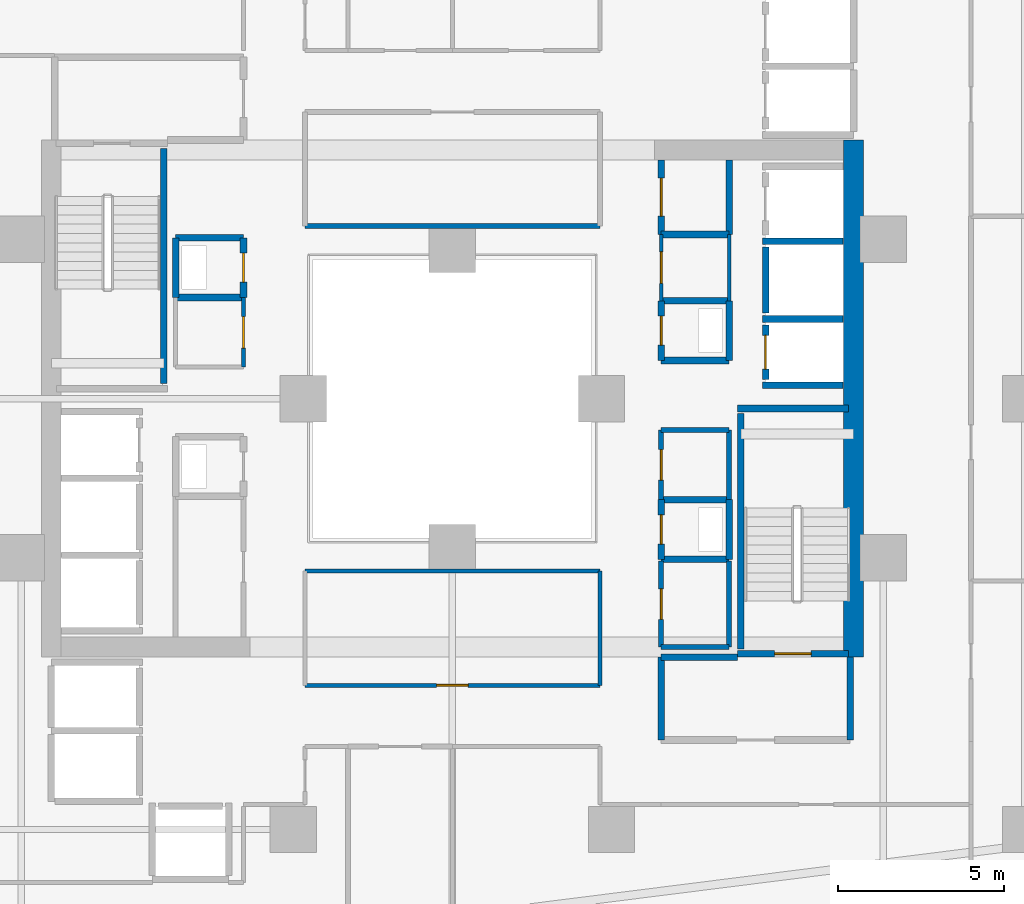
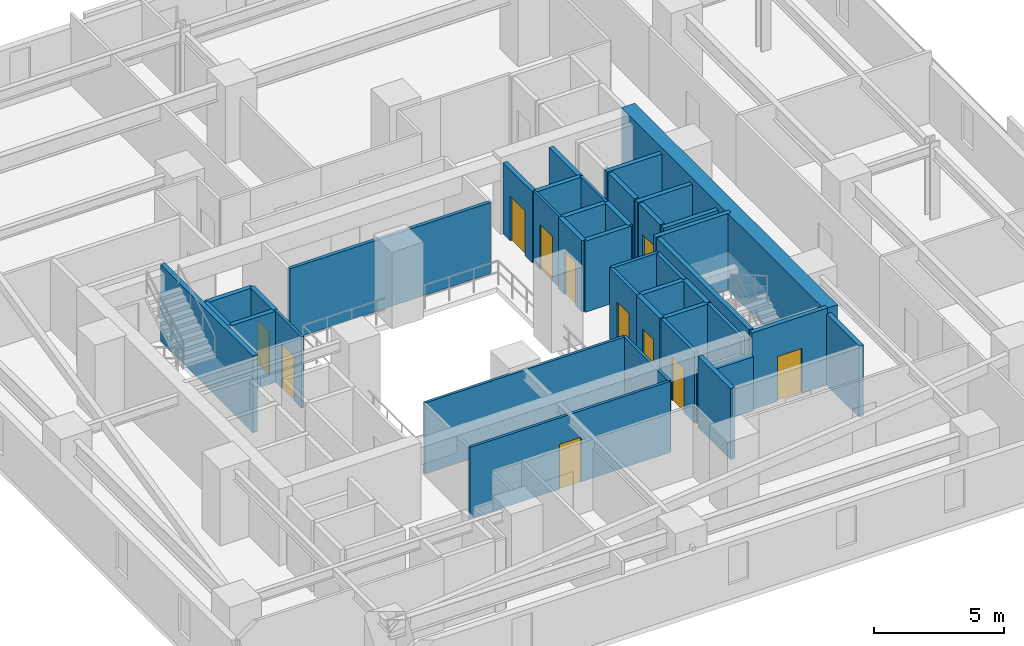
# One storey, part 25 of 34: 41 walls, 11 doors, 11 openings.
"""IFC4 building model written with IfcOpenShell, lengths in metres."""

from ifc_helpers import new_model, si_unit, direction, frame, frame_2d, origin, place, context, subcontext, project, spatial, rectangle, extrude, material, layer, layer_set, type_object, element, fill, save


model = new_model("IFC4")

# Units and contexts
model_context = context("Model", 3, precision=1e-05, world=origin(), true_north=direction((0.0, 1.0)))
body_context = subcontext(model_context, "Body", "Model", "MODEL_VIEW")
ifc_project = project(units=[si_unit("LENGTHUNIT", "METRE"), si_unit("AREAUNIT", "SQUARE_METRE"), si_unit("VOLUMEUNIT", "CUBIC_METRE"), si_unit("PLANEANGLEUNIT", "RADIAN"), si_unit("MASSUNIT", "GRAM", prefix="KILO")], contexts=[model_context])

# Site, building, storey
site_placement = place(None, origin())
site = spatial("IfcSite", under=ifc_project, at=site_placement, CompositionType="ELEMENT")
building_placement = place(site_placement, origin())
building = spatial("IfcBuilding", under=site, at=building_placement, Name="Thornwick Lancets Civic Towers", CompositionType="ELEMENT")
storey_placement = place(building_placement, frame((0.0, 0.0, 60.89990234375)))
storey = spatial("IfcBuildingStorey", under=building, at=storey_placement, Name="L15", CompositionType="ELEMENT", Elevation=60.89990234375)

# Wall, opening, door
ifc_material_1 = material(Name="Concrete blockwork C40/50", Category="masonry")
ifc_layer_1 = layer(ifc_material_1, 0.199951171875, Name="Concrete blockwork C40/50")
ifc_layer_set_1 = layer_set([ifc_layer_1], Name="Concrete blockwork C40/50")
wall_type_1 = type_object("IfcWallType", Name="WALL_COMP_200", PredefinedType="STANDARD", material=ifc_layer_set_1)
wall_1_placement = place(storey_placement, frame((97.949951171875, 29.219970703125, 0.0), z_axis=(0.0, 0.0, 1.0), x_axis=(0.0, -1.0, 0.0)))
wall_1 = element("IfcWall", 1, at=wall_1_placement, inside=storey, type_object=wall_type_1, Name="L15 Hoistway Front Wall FL-B1", PredefinedType="STANDARD", context=body_context, shape_type="SweptSolid", body=[
    extrude(rectangle(XDim=1.639892578125, YDim=0.199951171875, at=frame_2d((0.81982421875, 0.0))), origin(), (0.0, 0.0, 1.0), 3.340087890625),
])
opening_1_placement = place(wall_1_placement, frame((0.31005859375, 0.0, 0.0)))
opening_1 = element("IfcOpeningElement", 2, at=opening_1_placement, cuts=wall_1, Name="Opening LD-FL-B1", PredefinedType="OPENING", context=body_context, shape_type="SweptSolid", body=[
    extrude(rectangle(XDim=1.02001953125, YDim=2.06005859375, at=frame_2d((0.510009765625, 1.030029296875))), frame((0.0, 0.10986328125, 0.0), z_axis=(0.0, -1.0, 0.0), x_axis=(1.0, 0.0, 0.0)), (0.0, 0.0, 1.0), 0.219970703125),
])
ifc_material_2 = material(Name="Brushed bronze stainless steel", Category="steel")
door_type_1 = type_object("IfcDoorType", Name="DOOR_LIFT_SLIDE", OperationType="SLIDING_TO_LEFT", PredefinedType="DOOR", material=ifc_material_2)
door_1_placement = place(opening_1_placement, origin())
door_1 = element("IfcDoor", 3, at=door_1_placement, inside=storey, type_object=door_type_1, Name="L15 Sliding Lift Landing Door LD-FL-B1", OperationType="SLIDING_TO_LEFT", OverallHeight=2.06005859375, OverallWidth=1.02001953125, PredefinedType="DOOR", context=body_context, shape_type="SweptSolid", body=[
    extrude(rectangle(XDim=1.02001953125, YDim=2.06005859375, at=frame_2d((0.510009765625, 1.030029296875))), frame((0.0, 0.02490234375, 0.0), z_axis=(0.0, -1.0, 0.0), x_axis=(1.0, 0.0, 0.0)), (0.0, 0.0, 1.0), 0.050048828125),
])
fill(opening_1, door_1)

# Walls
wall_2_placement = place(storey_placement, frame((97.949951171875, 31.570068359375, 0.0), z_axis=(0.0, 0.0, 1.0), x_axis=(0.0, -1.0, 0.0)))
element("IfcWall", 4, at=wall_2_placement, inside=storey, type_object=wall_type_1, Name="L15 Hoistway Front Wall PL-BH1", PredefinedType="STANDARD", context=body_context, shape_type="SweptSolid", body=[
    extrude(rectangle(XDim=1.989990234375, YDim=0.199951171875, at=frame_2d((0.9951171875, 0.0))), origin(), (0.0, 0.0, 1.0), 3.340087890625),
])
for number, where, z_axis, x_axis, name in (
    (5, (97.85205078125, 29.39990234375, 0.0), (0.0, 0.0, 1.0), (1.0, 0.0, 0.0), "L15 Hoistway Shaft Wall FL-B1 N"),
    (6, (97.85205078125, 27.39990234375, 0.0), (0.0, 0.0, 1.0), (1.0, 0.0, 0.0), "L15 Hoistway Shaft Wall FL-B1 S"),
    (7, (97.85205078125, 31.75, 0.0), (0.0, 0.0, 1.0), (1.0, 0.0, 0.0), "L15 Hoistway Shaft Wall PL-BH1 N"),
):
    element("IfcWall", number, at=place(storey_placement, frame(where, z_axis=z_axis, x_axis=x_axis)), inside=storey, type_object=wall_type_1, Name=name, PredefinedType="STANDARD", context=body_context, shape_type="SweptSolid", body=[
        extrude(rectangle(XDim=2.43603515625, YDim=0.199951171875, at=frame_2d((1.218017578125, 0.0))), origin(), (0.0, 0.0, 1.0), 3.340087890625),
    ])
wall_3_placement = place(storey_placement, frame((100.5, 16.699951171875, 0.0), z_axis=(0.0, 0.0, 1.0), x_axis=(0.0, 1.0, 0.0)))
element("IfcWall", 8, at=wall_3_placement, inside=storey, type_object=wall_type_1, Name="L15 Partition L15-B-FFLOB1 E2", PredefinedType="STANDARD", context=body_context, shape_type="SweptSolid", body=[
    extrude(rectangle(XDim=2.5, YDim=0.199951171875, at=frame_2d((1.25, 0.0))), origin(), (0.0, 0.0, 1.0), 3.340087890625),
])
wall_4_placement = place(storey_placement, frame((97.10009765625, 19.199951171875, 0.0), z_axis=(0.0, 0.0, 1.0), x_axis=(-1.0, 0.0, 0.0)))
element("IfcWall", 9, at=wall_4_placement, inside=storey, type_object=wall_type_1, Name="L15 Partition L15-B-FFLOB1 E3", PredefinedType="STANDARD", context=body_context, shape_type="SweptSolid", body=[
    extrude(rectangle(XDim=2.300048828125, YDim=0.199951171875, at=frame_2d((1.14990234375, 0.0))), origin(), (0.0, 0.0, 1.0), 2.545166015625),
])
wall_5_placement = place(storey_placement, frame((94.800048828125, 19.199951171875, 0.0), z_axis=(0.0, 0.0, 1.0), x_axis=(0.0, -1.0, 0.0)))
element("IfcWall", 10, at=wall_5_placement, inside=storey, type_object=wall_type_1, Name="L15 Partition L15-B-FFLOB1 E4", PredefinedType="STANDARD", context=body_context, shape_type="SweptSolid", body=[
    extrude(rectangle(XDim=2.5, YDim=0.199951171875, at=frame_2d((1.25, 0.0))), origin(), (0.0, 0.0, 1.0), 3.340087890625),
])
wall_6_placement = place(storey_placement, frame((94.800048828125, 28.14990234375, 0.0), z_axis=(0.0, 0.0, 1.0), x_axis=(1.0, 0.0, 0.0)))
element("IfcWall", 11, at=wall_6_placement, inside=storey, type_object=wall_type_1, Name="L15 Partition L15-B-DUCT1 E1", PredefinedType="STANDARD", context=body_context, shape_type="SweptSolid", body=[
    extrude(rectangle(XDim=2.050048828125, YDim=0.199951171875, at=frame_2d((1.02490234375, 0.0))), origin(), (0.0, 0.0, 1.0), 3.340087890625),
])
wall_7_placement = place(storey_placement, frame((96.85009765625, 28.14990234375, 0.0), z_axis=(0.0, 0.0, 1.0), x_axis=(0.0, 1.0, 0.0)))
element("IfcWall", 12, at=wall_7_placement, inside=storey, type_object=wall_type_1, Name="L15 Partition L15-B-DUCT1 E2", PredefinedType="STANDARD", context=body_context, shape_type="SweptSolid", body=[
    extrude(rectangle(XDim=1.800048828125, YDim=0.199951171875, at=frame_2d((0.89990234375, 0.0))), origin(), (0.0, 0.0, 1.0), 3.340087890625),
])
wall_8_placement = place(storey_placement, frame((96.85009765625, 29.949951171875, 0.0), z_axis=(0.0, 0.0, 1.0), x_axis=(-1.0, 0.0, 0.0)))
element("IfcWall", 13, at=wall_8_placement, inside=storey, type_object=wall_type_1, Name="L15 Partition L15-B-DUCT1 E3", PredefinedType="STANDARD", context=body_context, shape_type="SweptSolid", body=[
    extrude(rectangle(XDim=2.050048828125, YDim=0.199951171875, at=frame_2d((1.02490234375, 0.0))), origin(), (0.0, 0.0, 1.0), 3.340087890625),
])

# Wall, opening, door
wall_9_placement = place(storey_placement, frame((94.800048828125, 29.949951171875, 0.0), z_axis=(0.0, 0.0, 1.0), x_axis=(0.0, -1.0, 0.0)))
wall_9 = element("IfcWall", 14, at=wall_9_placement, inside=storey, type_object=wall_type_1, Name="L15 Partition L15-B-DUCT1 E4", PredefinedType="STANDARD", context=body_context, shape_type="SweptSolid", body=[
    extrude(rectangle(XDim=1.800048828125, YDim=0.199951171875, at=frame_2d((0.89990234375, 0.0))), origin(), (0.0, 0.0, 1.0), 3.340087890625),
])
opening_2_placement = place(wall_9_placement, frame((0.4599609375, 0.0, 0.0)))
opening_2 = element("IfcOpeningElement", 15, at=opening_2_placement, cuts=wall_9, Name="Opening D-L15-0717", PredefinedType="OPENING", context=body_context, shape_type="SweptSolid", body=[
    extrude(rectangle(XDim=0.8798828125, YDim=2.0400390625, at=frame_2d((0.43994140625, 1.02001953125))), frame((0.0, 0.10986328125, 0.0), z_axis=(0.0, -1.0, 0.0), x_axis=(1.0, 0.0, 0.0)), (0.0, 0.0, 1.0), 0.219970703125),
])
ifc_material_3 = material(Name="Steel riser access doorset", Category="steel")
door_type_2 = type_object("IfcDoorType", Name="DOOR_RISER_850", OperationType="NOTDEFINED", PredefinedType="DOOR", material=ifc_material_3)
door_2_placement = place(opening_2_placement, origin())
door_2 = element("IfcDoor", 16, at=door_2_placement, inside=storey, type_object=door_type_2, Name="L15 East Service Duct 1 Door", OperationType="SINGLE_SWING_RIGHT", OverallHeight=2.0400390625, OverallWidth=0.8798828125, PredefinedType="DOOR", context=body_context, shape_type="SweptSolid", body=[
    extrude(rectangle(XDim=0.8798828125, YDim=2.0400390625, at=frame_2d((0.43994140625, 1.02001953125))), frame((0.0, 0.02490234375, 0.0), z_axis=(0.0, -1.0, 0.0), x_axis=(1.0, 0.0, 0.0)), (0.0, 0.0, 1.0), 0.050048828125),
])
fill(opening_2, door_2)

# Walls
wall_10_placement = place(storey_placement, frame((94.800048828125, 22.14990234375, 0.0), z_axis=(0.0, 0.0, 1.0), x_axis=(1.0, 0.0, 0.0)))
element("IfcWall", 17, at=wall_10_placement, inside=storey, type_object=wall_type_1, Name="L15 Partition L15-B-RISER1 E1", PredefinedType="STANDARD", context=body_context, shape_type="SweptSolid", body=[
    extrude(rectangle(XDim=2.050048828125, YDim=0.199951171875, at=frame_2d((1.02490234375, 0.0))), origin(), (0.0, 0.0, 1.0), 3.340087890625),
])
wall_11_placement = place(storey_placement, frame((96.85009765625, 22.14990234375, 0.0), z_axis=(0.0, 0.0, 1.0), x_axis=(0.0, 1.0, 0.0)))
element("IfcWall", 18, at=wall_11_placement, inside=storey, type_object=wall_type_1, Name="L15 Partition L15-B-RISER1 E2", PredefinedType="STANDARD", context=body_context, shape_type="SweptSolid", body=[
    extrude(rectangle(XDim=1.800048828125, YDim=0.199951171875, at=frame_2d((0.89990234375, 0.0))), origin(), (0.0, 0.0, 1.0), 3.340087890625),
])
wall_12_placement = place(storey_placement, frame((96.85009765625, 23.949951171875, 0.0), z_axis=(0.0, 0.0, 1.0), x_axis=(-1.0, 0.0, 0.0)))
element("IfcWall", 19, at=wall_12_placement, inside=storey, type_object=wall_type_1, Name="L15 Partition L15-B-RISER1 E3", PredefinedType="STANDARD", context=body_context, shape_type="SweptSolid", body=[
    extrude(rectangle(XDim=2.050048828125, YDim=0.199951171875, at=frame_2d((1.02490234375, 0.0))), origin(), (0.0, 0.0, 1.0), 3.340087890625),
])

# Wall, opening, door
wall_13_placement = place(storey_placement, frame((94.800048828125, 23.949951171875, 0.0), z_axis=(0.0, 0.0, 1.0), x_axis=(0.0, -1.0, 0.0)))
wall_13 = element("IfcWall", 20, at=wall_13_placement, inside=storey, type_object=wall_type_1, Name="L15 Partition L15-B-RISER1 E4", PredefinedType="STANDARD", context=body_context, shape_type="SweptSolid", body=[
    extrude(rectangle(XDim=1.800048828125, YDim=0.199951171875, at=frame_2d((0.89990234375, 0.0))), origin(), (0.0, 0.0, 1.0), 3.340087890625),
])
opening_3_placement = place(wall_13_placement, frame((0.4599609375, 0.0, 0.0)))
opening_3 = element("IfcOpeningElement", 21, at=opening_3_placement, cuts=wall_13, Name="Opening D-L15-0718", PredefinedType="OPENING", context=body_context, shape_type="SweptSolid", body=[
    extrude(rectangle(XDim=0.8798828125, YDim=2.0400390625, at=frame_2d((0.43994140625, 1.02001953125))), frame((0.0, 0.10986328125, 0.0), z_axis=(0.0, -1.0, 0.0), x_axis=(1.0, 0.0, 0.0)), (0.0, 0.0, 1.0), 0.219970703125),
])
door_3_placement = place(opening_3_placement, origin())
door_3 = element("IfcDoor", 22, at=door_3_placement, inside=storey, type_object=door_type_2, Name="L15 East Electrical Riser 1 Door", OperationType="SINGLE_SWING_LEFT", OverallHeight=2.0400390625, OverallWidth=0.8798828125, PredefinedType="DOOR", context=body_context, shape_type="SweptSolid", body=[
    extrude(rectangle(XDim=0.8798828125, YDim=2.0400390625, at=frame_2d((0.43994140625, 1.02001953125))), frame((0.0, 0.02490234375, 0.0), z_axis=(0.0, -1.0, 0.0), x_axis=(1.0, 0.0, 0.0)), (0.0, 0.0, 1.0), 0.050048828125),
])
fill(opening_3, door_3)

# Wall
wall_14_placement = place(storey_placement, frame((80.14990234375, 30.050048828125, 0.0), z_axis=(0.0, 0.0, 1.0), x_axis=(1.0, 0.0, 0.0)))
element("IfcWall", 23, at=wall_14_placement, inside=storey, type_object=wall_type_1, Name="L15 Partition L15-B-RISER2 E1", PredefinedType="STANDARD", context=body_context, shape_type="SweptSolid", body=[
    extrude(rectangle(XDim=2.050048828125, YDim=0.199951171875, at=frame_2d((1.02490234375, 0.0))), origin(), (0.0, 0.0, 1.0), 3.340087890625),
])

# Wall, opening, door
wall_15_placement = place(storey_placement, frame((82.199951171875, 30.050048828125, 0.0), z_axis=(0.0, 0.0, 1.0), x_axis=(0.0, 1.0, 0.0)))
wall_15 = element("IfcWall", 24, at=wall_15_placement, inside=storey, type_object=wall_type_1, Name="L15 Partition L15-B-RISER2 E2", PredefinedType="STANDARD", context=body_context, shape_type="SweptSolid", body=[
    extrude(rectangle(XDim=1.800048828125, YDim=0.199951171875, at=frame_2d((0.89990234375, 0.0))), origin(), (0.0, 0.0, 1.0), 3.340087890625),
])
opening_4_placement = place(wall_15_placement, frame((0.4599609375, 0.0, 0.0)))
opening_4 = element("IfcOpeningElement", 25, at=opening_4_placement, cuts=wall_15, Name="Opening D-L15-0720", PredefinedType="OPENING", context=body_context, shape_type="SweptSolid", body=[
    extrude(rectangle(XDim=0.8798828125, YDim=2.0400390625, at=frame_2d((0.43994140625, 1.02001953125))), frame((0.0, 0.10986328125, 0.0), z_axis=(0.0, -1.0, 0.0), x_axis=(1.0, 0.0, 0.0)), (0.0, 0.0, 1.0), 0.219970703125),
])
door_4_placement = place(opening_4_placement, origin())
door_4 = element("IfcDoor", 26, at=door_4_placement, inside=storey, type_object=door_type_2, Name="L15 West Service Riser 2 Door", OperationType="SINGLE_SWING_LEFT", OverallHeight=2.0400390625, OverallWidth=0.8798828125, PredefinedType="DOOR", context=body_context, shape_type="SweptSolid", body=[
    extrude(rectangle(XDim=0.8798828125, YDim=2.0400390625, at=frame_2d((0.43994140625, 1.02001953125))), frame((0.0, 0.02490234375, 0.0), z_axis=(0.0, -1.0, 0.0), x_axis=(1.0, 0.0, 0.0)), (0.0, 0.0, 1.0), 0.050048828125),
])
fill(opening_4, door_4)

# Walls
wall_16_placement = place(storey_placement, frame((82.199951171875, 31.85009765625, 0.0), z_axis=(0.0, 0.0, 1.0), x_axis=(-1.0, 0.0, 0.0)))
element("IfcWall", 27, at=wall_16_placement, inside=storey, type_object=wall_type_1, Name="L15 Partition L15-B-RISER2 E3", PredefinedType="STANDARD", context=body_context, shape_type="SweptSolid", body=[
    extrude(rectangle(XDim=2.050048828125, YDim=0.199951171875, at=frame_2d((1.02490234375, 0.0))), origin(), (0.0, 0.0, 1.0), 3.340087890625),
])
wall_17_placement = place(storey_placement, frame((80.14990234375, 31.85009765625, 0.0), z_axis=(0.0, 0.0, 1.0), x_axis=(0.0, -1.0, 0.0)))
element("IfcWall", 28, at=wall_17_placement, inside=storey, type_object=wall_type_1, Name="L15 Partition L15-B-RISER2 E4", PredefinedType="STANDARD", context=body_context, shape_type="SweptSolid", body=[
    extrude(rectangle(XDim=1.800048828125, YDim=0.199951171875, at=frame_2d((0.89990234375, 0.0))), origin(), (0.0, 0.0, 1.0), 3.340087890625),
])

# Wall, opening, door
wall_18_placement = place(storey_placement, frame((94.800048828125, 31.949951171875, 0.0), z_axis=(0.0, 0.0, 1.0), x_axis=(0.0, 1.0, 0.0)))
wall_18 = element("IfcWall", 29, at=wall_18_placement, inside=storey, type_object=wall_type_1, Name="L15 Partition L15-B-ITR2 E1", PredefinedType="STANDARD", context=body_context, shape_type="SweptSolid", body=[
    extrude(rectangle(XDim=2.25, YDim=0.199951171875, at=frame_2d((1.125, 0.0))), origin(), (0.0, 0.0, 1.0), 3.340087890625),
])
opening_5_placement = place(wall_18_placement, frame((0.550048828125, 0.0, 0.0)))
opening_5 = element("IfcOpeningElement", 30, at=opening_5_placement, cuts=wall_18, Name="Opening D-L15-0724", PredefinedType="OPENING", context=body_context, shape_type="SweptSolid", body=[
    extrude(rectangle(XDim=1.14990234375, YDim=2.10009765625, at=frame_2d((0.574951171875, 1.050048828125))), frame((0.0, 0.10986328125, 0.0), z_axis=(0.0, -1.0, 0.0), x_axis=(1.0, 0.0, 0.0)), (0.0, 0.0, 1.0), 0.219970703125),
])
ifc_material_4 = material(Name="Glazed fire-resisting steel", Category="steel")
door_type_3 = type_object("IfcDoorType", Name="DOOR_LOBBY_FD60", OperationType="NOTDEFINED", PredefinedType="DOOR", material=ifc_material_4)
door_5_placement = place(opening_5_placement, origin())
door_5 = element("IfcDoor", 31, at=door_5_placement, inside=storey, type_object=door_type_3, Name="L15 Tower B Statutory Core Archive Door", OperationType="SINGLE_SWING_LEFT", OverallHeight=2.10009765625, OverallWidth=1.14990234375, PredefinedType="DOOR", context=body_context, shape_type="SweptSolid", body=[
    extrude(rectangle(XDim=1.14990234375, YDim=2.10009765625, at=frame_2d((0.574951171875, 1.050048828125))), frame((0.0, 0.02490234375, 0.0), z_axis=(0.0, -1.0, 0.0), x_axis=(1.0, 0.0, 0.0)), (0.0, 0.0, 1.0), 0.050048828125),
])
fill(opening_5, door_5)

# Walls
wall_19_placement = place(storey_placement, frame((96.85009765625, 34.199951171875, 0.0), z_axis=(0.0, 0.0, 1.0), x_axis=(0.0, -1.0, 0.0)))
element("IfcWall", 32, at=wall_19_placement, inside=storey, type_object=wall_type_1, Name="L15 Partition L15-B-ITR2 E3", PredefinedType="STANDARD", context=body_context, shape_type="SweptSolid", body=[
    extrude(rectangle(XDim=2.25, YDim=0.199951171875, at=frame_2d((1.125, 0.0))), origin(), (0.0, 0.0, 1.0), 3.340087890625),
])
wall_20_placement = place(storey_placement, frame((96.85009765625, 31.949951171875, 0.0), z_axis=(0.0, 0.0, 1.0), x_axis=(-1.0, 0.0, 0.0)))
element("IfcWall", 33, at=wall_20_placement, inside=storey, type_object=wall_type_1, Name="L15 Partition L15-B-ITR2 E4", PredefinedType="STANDARD", context=body_context, shape_type="SweptSolid", body=[
    extrude(rectangle(XDim=2.050048828125, YDim=0.199951171875, at=frame_2d((1.02490234375, 0.0))), origin(), (0.0, 0.0, 1.0), 3.340087890625),
])
ifc_material_5 = material(Name="Concrete C60/75", Category="concrete")
ifc_layer_2 = layer(ifc_material_5, 0.60009765625, Name="Concrete C60/75")
ifc_layer_set_2 = layer_set([ifc_layer_2], Name="Concrete C60/75")
wall_type_2 = type_object("IfcWallType", Name="WALL_CORE_600", PredefinedType="SHEAR", material=ifc_layer_set_2)
wall_21_placement = place(storey_placement, frame((100.60009765625, 19.199951171875, 0.0), z_axis=(0.0, 0.0, 1.0), x_axis=(0.0, 1.0, 0.0)))
element("IfcWall", 34, at=wall_21_placement, inside=storey, type_object=wall_type_2, Name="L15 Split Core B1 Shear Wall E", PredefinedType="SHEAR", context=body_context, shape_type="SweptSolid", body=[
    extrude(rectangle(XDim=15.60009765625, YDim=0.60009765625, at=frame_2d((7.800048828125, 0.0))), origin(), (0.0, 0.0, 1.0), 3.60009765625),
])

# Wall, opening, door
ifc_material_6 = material(Name="Lightweight cellular office partition")
ifc_layer_3 = layer(ifc_material_6, 0.10009765625, Name="Lightweight cellular office partition")
ifc_layer_set_3 = layer_set([ifc_layer_3], Name="Lightweight cellular office partition")
wall_type_3 = type_object("IfcWallType", Name="WALL_PART_100", PredefinedType="PARTITIONING", material=ifc_layer_set_3)
wall_22_placement = place(storey_placement, frame((94.800048828125, 29.949951171875, 0.0), z_axis=(0.0, 0.0, 1.0), x_axis=(0.0, 1.0, 0.0)))
wall_22 = element("IfcWall", 35, at=wall_22_placement, inside=storey, type_object=wall_type_3, Name="L15 Partition L15-B-CLN E1", PredefinedType="PARTITIONING", context=body_context, shape_type="SweptSolid", body=[
    extrude(rectangle(XDim=2.0, YDim=0.10009765625, at=frame_2d((1.0, 0.0))), origin(), (0.0, 0.0, 1.0), 3.340087890625),
])
opening_6_placement = place(wall_22_placement, frame((0.52490234375, 0.0, 0.0)))
opening_6 = element("IfcOpeningElement", 36, at=opening_6_placement, cuts=wall_22, Name="Opening D-L15-0723", PredefinedType="OPENING", context=body_context, shape_type="SweptSolid", body=[
    extrude(rectangle(XDim=0.949951171875, YDim=2.10009765625, at=frame_2d((0.47509765625, 1.050048828125))), frame((0.0, 0.06005859375, 0.0), z_axis=(0.0, -1.0, 0.0), x_axis=(1.0, 0.0, 0.0)), (0.0, 0.0, 1.0), 0.1201171875),
])
ifc_material_7 = material(Name="European oak acoustic doorset")
door_type_4 = type_object("IfcDoorType", Name="DOOR_OFFICE_950", OperationType="NOTDEFINED", PredefinedType="DOOR", material=ifc_material_7)
door_6_placement = place(opening_6_placement, origin())
door_6 = element("IfcDoor", 37, at=door_6_placement, inside=storey, type_object=door_type_4, Name="L15 Tower B Cleaners Store Door", OperationType="SINGLE_SWING_RIGHT", OverallHeight=2.10009765625, OverallWidth=0.949951171875, PredefinedType="DOOR", context=body_context, shape_type="SweptSolid", body=[
    extrude(rectangle(XDim=0.949951171875, YDim=2.10009765625, at=frame_2d((0.47509765625, 1.050048828125))), frame((0.0, 0.02490234375, 0.0), z_axis=(0.0, -1.0, 0.0), x_axis=(1.0, 0.0, 0.0)), (0.0, 0.0, 1.0), 0.050048828125),
])
fill(opening_6, door_6)

# Wall
wall_23_placement = place(storey_placement, frame((96.85009765625, 31.949951171875, 0.0), z_axis=(0.0, 0.0, 1.0), x_axis=(0.0, -1.0, 0.0)))
element("IfcWall", 38, at=wall_23_placement, inside=storey, type_object=wall_type_3, Name="L15 Partition L15-B-CLN E3", PredefinedType="PARTITIONING", context=body_context, shape_type="SweptSolid", body=[
    extrude(rectangle(XDim=2.0, YDim=0.10009765625, at=frame_2d((1.0, 0.0))), origin(), (0.0, 0.0, 1.0), 3.340087890625),
])

# Wall, opening, door
ifc_material_8 = material(Name="Acoustic gypsum board partition")
ifc_layer_4 = layer(ifc_material_8, 0.1201171875, Name="Acoustic gypsum board partition")
ifc_layer_set_4 = layer_set([ifc_layer_4], Name="Acoustic gypsum board partition")
wall_type_4 = type_object("IfcWallType", Name="WALL_PART_120", PredefinedType="PARTITIONING", material=ifc_layer_set_4)
wall_24_placement = place(storey_placement, frame((82.199951171875, 30.050048828125, 0.0), z_axis=(0.0, 0.0, 1.0), x_axis=(0.0, -1.0, 0.0)))
wall_24 = element("IfcWall", 39, at=wall_24_placement, inside=storey, type_object=wall_type_4, Name="L15 Partition L15-B-ITR E4", PredefinedType="PARTITIONING", context=body_context, shape_type="SweptSolid", body=[
    extrude(rectangle(XDim=2.10009765625, YDim=0.1201171875, at=frame_2d((1.050048828125, 0.0))), origin(), (0.0, 0.0, 1.0), 3.340087890625),
])
opening_7_placement = place(wall_24_placement, frame((0.574951171875, 0.0, 0.0)))
opening_7 = element("IfcOpeningElement", 40, at=opening_7_placement, cuts=wall_24, Name="Opening D-L15-0726", PredefinedType="OPENING", context=body_context, shape_type="SweptSolid", body=[
    extrude(rectangle(XDim=0.949951171875, YDim=2.10009765625, at=frame_2d((0.47509765625, 1.050048828125))), frame((0.0, 0.070068359375, 0.0), z_axis=(0.0, -1.0, 0.0), x_axis=(1.0, 0.0, 0.0)), (0.0, 0.0, 1.0), 0.14013671875),
])
door_7_placement = place(opening_7_placement, origin())
door_7 = element("IfcDoor", 41, at=door_7_placement, inside=storey, type_object=door_type_4, Name="L15 Tower B Comms Patch Room Door", OperationType="SINGLE_SWING_LEFT", OverallHeight=2.10009765625, OverallWidth=0.949951171875, PredefinedType="DOOR", context=body_context, shape_type="SweptSolid", body=[
    extrude(rectangle(XDim=0.949951171875, YDim=2.10009765625, at=frame_2d((0.47509765625, 1.050048828125))), frame((0.0, 0.02490234375, 0.0), z_axis=(0.0, -1.0, 0.0), x_axis=(1.0, 0.0, 0.0)), (0.0, 0.0, 1.0), 0.050048828125),
])
fill(opening_7, door_7)

# Walls
wall_25_placement = place(storey_placement, frame((84.050048828125, 21.800048828125, 0.0), z_axis=(0.0, 0.0, 1.0), x_axis=(1.0, 0.0, 0.0)))
element("IfcWall", 42, at=wall_25_placement, inside=storey, type_object=wall_type_4, Name="L15 Partition L15-B-ATR-W E2", PredefinedType="PARTITIONING", context=body_context, shape_type="SweptSolid", body=[
    extrude(rectangle(XDim=8.89990234375, YDim=0.1201171875, at=frame_2d((4.449951171875, 0.0))), origin(), (0.0, 0.0, 1.0), 3.340087890625),
])
wall_26_placement = place(storey_placement, frame((92.949951171875, 21.800048828125, 0.0), z_axis=(0.0, 0.0, 1.0), x_axis=(0.0, -1.0, 0.0)))
element("IfcWall", 43, at=wall_26_placement, inside=storey, type_object=wall_type_4, Name="L15 Partition L15-B-ATR-W E3", PredefinedType="PARTITIONING", context=body_context, shape_type="SweptSolid", body=[
    extrude(rectangle(XDim=3.449951171875, YDim=0.1201171875, at=frame_2d((1.72509765625, 0.0))), origin(), (0.0, 0.0, 1.0), 3.340087890625),
])

# Wall, opening, door
wall_27_placement = place(storey_placement, frame((92.949951171875, 18.35009765625, 0.0), z_axis=(0.0, 0.0, 1.0), x_axis=(-1.0, 0.0, 0.0)))
wall_27 = element("IfcWall", 44, at=wall_27_placement, inside=storey, type_object=wall_type_4, Name="L15 Partition L15-B-ATR-W E4", PredefinedType="PARTITIONING", context=body_context, shape_type="SweptSolid", body=[
    extrude(rectangle(XDim=8.89990234375, YDim=0.1201171875, at=frame_2d((4.449951171875, 0.0))), origin(), (0.0, 0.0, 1.0), 3.340087890625),
])
opening_8_placement = place(wall_27_placement, frame((3.97509765625, 0.0, 0.0)))
opening_8 = element("IfcOpeningElement", 45, at=opening_8_placement, cuts=wall_27, Name="Opening D-L15-0745", PredefinedType="OPENING", context=body_context, shape_type="SweptSolid", body=[
    extrude(rectangle(XDim=0.949951171875, YDim=2.10009765625, at=frame_2d((0.47509765625, 1.050048828125))), frame((0.0, 0.070068359375, 0.0), z_axis=(0.0, -1.0, 0.0), x_axis=(1.0, 0.0, 0.0)), (0.0, 0.0, 1.0), 0.14013671875),
])
door_8_placement = place(opening_8_placement, origin())
door_8 = element("IfcDoor", 46, at=door_8_placement, inside=storey, type_object=door_type_4, Name="L15 Tower B West Atrium Study Lounge Door", OperationType="SINGLE_SWING_RIGHT", OverallHeight=2.10009765625, OverallWidth=0.949951171875, PredefinedType="DOOR", context=body_context, shape_type="SweptSolid", body=[
    extrude(rectangle(XDim=0.949951171875, YDim=2.10009765625, at=frame_2d((0.47509765625, 1.050048828125))), frame((0.0, 0.02490234375, 0.0), z_axis=(0.0, -1.0, 0.0), x_axis=(1.0, 0.0, 0.0)), (0.0, 0.0, 1.0), 0.050048828125),
])
fill(opening_8, door_8)

# Walls
ifc_material_9 = material(Name="Twin-stud acoustic gypsum board")
ifc_layer_5 = layer(ifc_material_9, 0.14990234375, Name="Twin-stud acoustic gypsum board")
ifc_layer_set_5 = layer_set([ifc_layer_5], Name="Twin-stud acoustic gypsum board")
wall_type_5 = type_object("IfcWallType", Name="WALL_PART_150", PredefinedType="PARTITIONING", material=ifc_layer_set_5)
wall_28_placement = place(storey_placement, frame((94.800048828125, 19.5, 0.0), z_axis=(0.0, 0.0, 1.0), x_axis=(1.0, 0.0, 0.0)))
element("IfcWall", 47, at=wall_28_placement, inside=storey, type_object=wall_type_5, Name="L15 Partition L15-B-MWC E1", PredefinedType="PARTITIONING", context=body_context, shape_type="SweptSolid", body=[
    extrude(rectangle(XDim=2.050048828125, YDim=0.14990234375, at=frame_2d((1.02490234375, 0.0))), origin(), (0.0, 0.0, 1.0), 2.545166015625),
])
wall_29_placement = place(storey_placement, frame((96.85009765625, 19.5, 0.0), z_axis=(0.0, 0.0, 1.0), x_axis=(0.0, 1.0, 0.0)))
element("IfcWall", 48, at=wall_29_placement, inside=storey, type_object=wall_type_5, Name="L15 Partition L15-B-MWC E2", PredefinedType="PARTITIONING", context=body_context, shape_type="SweptSolid", body=[
    extrude(rectangle(XDim=2.60009765625, YDim=0.14990234375, at=frame_2d((1.300048828125, 0.0))), origin(), (0.0, 0.0, 1.0), 3.340087890625),
])

# Wall, opening, door
wall_30_placement = place(storey_placement, frame((94.800048828125, 22.10009765625, 0.0), z_axis=(0.0, 0.0, 1.0), x_axis=(0.0, -1.0, 0.0)))
wall_30 = element("IfcWall", 49, at=wall_30_placement, inside=storey, type_object=wall_type_5, Name="L15 Partition L15-B-MWC E4", PredefinedType="PARTITIONING", context=body_context, shape_type="SweptSolid", body=[
    extrude(rectangle(XDim=2.60009765625, YDim=0.14990234375, at=frame_2d((1.300048828125, 0.0))), origin(), (0.0, 0.0, 1.0), 3.340087890625),
])
opening_9_placement = place(wall_30_placement, frame((0.840087890625, 0.0, 0.0)))
opening_9 = element("IfcOpeningElement", 50, at=opening_9_placement, cuts=wall_30, Name="Opening D-L15-0721", PredefinedType="OPENING", context=body_context, shape_type="SweptSolid", body=[
    extrude(rectangle(XDim=0.919921875, YDim=2.080078125, at=frame_2d((0.4599609375, 1.0400390625))), frame((0.0, 0.0849609375, 0.0), z_axis=(0.0, -1.0, 0.0), x_axis=(1.0, 0.0, 0.0)), (0.0, 0.0, 1.0), 0.169921875),
])
ifc_material_10 = material(Name="Moisture-resistant oak doorset")
door_type_5 = type_object("IfcDoorType", Name="DOOR_WC_900", OperationType="NOTDEFINED", PredefinedType="DOOR", material=ifc_material_10)
door_9_placement = place(opening_9_placement, origin())
door_9 = element("IfcDoor", 51, at=door_9_placement, inside=storey, type_object=door_type_5, Name="L15 Tower B Male WC Door", OperationType="SINGLE_SWING_RIGHT", OverallHeight=2.080078125, OverallWidth=0.919921875, PredefinedType="DOOR", context=body_context, shape_type="SweptSolid", body=[
    extrude(rectangle(XDim=0.919921875, YDim=2.080078125, at=frame_2d((0.4599609375, 1.0400390625))), frame((0.0, 0.02490234375, 0.0), z_axis=(0.0, -1.0, 0.0), x_axis=(1.0, 0.0, 0.0)), (0.0, 0.0, 1.0), 0.050048828125),
])
fill(opening_9, door_9)

wall_31_placement = place(storey_placement, frame((94.800048828125, 23.949951171875, 0.0), z_axis=(0.0, 0.0, 1.0), x_axis=(0.0, 1.0, 0.0)))
wall_31 = element("IfcWall", 52, at=wall_31_placement, inside=storey, type_object=wall_type_5, Name="L15 Partition L15-B-AWC E1", PredefinedType="PARTITIONING", context=body_context, shape_type="SweptSolid", body=[
    extrude(rectangle(XDim=2.10009765625, YDim=0.14990234375, at=frame_2d((1.050048828125, 0.0))), origin(), (0.0, 0.0, 1.0), 3.340087890625),
])
opening_10_placement = place(wall_31_placement, frame((0.590087890625, 0.0, 0.0)))
opening_10 = element("IfcOpeningElement", 53, at=opening_10_placement, cuts=wall_31, Name="Opening D-L15-0722", PredefinedType="OPENING", context=body_context, shape_type="SweptSolid", body=[
    extrude(rectangle(XDim=0.919921875, YDim=2.080078125, at=frame_2d((0.4599609375, 1.0400390625))), frame((0.0, 0.0849609375, 0.0), z_axis=(0.0, -1.0, 0.0), x_axis=(1.0, 0.0, 0.0)), (0.0, 0.0, 1.0), 0.169921875),
])
door_10_placement = place(opening_10_placement, origin())
door_10 = element("IfcDoor", 54, at=door_10_placement, inside=storey, type_object=door_type_5, Name="L15 Tower B Accessible WC Door", OperationType="SINGLE_SWING_LEFT", OverallHeight=2.080078125, OverallWidth=0.919921875, PredefinedType="DOOR", context=body_context, shape_type="SweptSolid", body=[
    extrude(rectangle(XDim=0.919921875, YDim=2.080078125, at=frame_2d((0.4599609375, 1.0400390625))), frame((0.0, 0.02490234375, 0.0), z_axis=(0.0, -1.0, 0.0), x_axis=(1.0, 0.0, 0.0)), (0.0, 0.0, 1.0), 0.050048828125),
])
fill(opening_10, door_10)

# Walls
wall_32_placement = place(storey_placement, frame((94.800048828125, 26.050048828125, 0.0), z_axis=(0.0, 0.0, 1.0), x_axis=(1.0, 0.0, 0.0)))
element("IfcWall", 55, at=wall_32_placement, inside=storey, type_object=wall_type_5, Name="L15 Partition L15-B-AWC E2", PredefinedType="PARTITIONING", context=body_context, shape_type="SweptSolid", body=[
    extrude(rectangle(XDim=2.050048828125, YDim=0.14990234375, at=frame_2d((1.02490234375, 0.0))), origin(), (0.0, 0.0, 1.0), 3.340087890625),
])
wall_33_placement = place(storey_placement, frame((96.85009765625, 26.050048828125, 0.0), z_axis=(0.0, 0.0, 1.0), x_axis=(0.0, -1.0, 0.0)))
element("IfcWall", 56, at=wall_33_placement, inside=storey, type_object=wall_type_5, Name="L15 Partition L15-B-AWC E3", PredefinedType="PARTITIONING", context=body_context, shape_type="SweptSolid", body=[
    extrude(rectangle(XDim=2.10009765625, YDim=0.14990234375, at=frame_2d((1.050048828125, 0.0))), origin(), (0.0, 0.0, 1.0), 3.340087890625),
])
wall_34_placement = place(storey_placement, frame((92.949951171875, 32.199951171875, 0.0), z_axis=(0.0, 0.0, 1.0), x_axis=(-1.0, 0.0, 0.0)))
element("IfcWall", 57, at=wall_34_placement, inside=storey, type_object=wall_type_5, Name="L15 Partition L15-B-ATR-E E4", PredefinedType="PARTITIONING", context=body_context, shape_type="SweptSolid", body=[
    extrude(rectangle(XDim=8.89990234375, YDim=0.14990234375, at=frame_2d((4.449951171875, 0.0))), origin(), (0.0, 0.0, 1.0), 3.340087890625),
])

# Wall, opening, door
ifc_material_11 = material(Name="Concrete C40/50", Category="concrete")
ifc_layer_6 = layer(ifc_material_11, 0.199951171875, Name="Concrete C40/50")
ifc_layer_set_6 = layer_set([ifc_layer_6], Name="Concrete C40/50")
wall_type_6 = type_object("IfcWallType", Name="WALL_SHAFT_200", PredefinedType="SHEAR", material=ifc_layer_set_6)
wall_35_placement = place(storey_placement, frame((100.449951171875, 19.300048828125, 0.0), z_axis=(0.0, 0.0, 1.0), x_axis=(-1.0, 0.0, 0.0)))
wall_35 = element("IfcWall", 58, at=wall_35_placement, inside=storey, type_object=wall_type_6, Name="L15 ST-B1 Fire Stair Core Wall NEAR", PredefinedType="SHEAR", context=body_context, shape_type="SweptSolid", body=[
    extrude(rectangle(XDim=3.349853515625, YDim=0.199951171875, at=frame_2d((1.6748046875, 0.0))), origin(), (0.0, 0.0, 1.0), 3.60009765625),
])
opening_11_placement = place(wall_35_placement, frame((1.125, 0.0, 0.0)))
opening_11 = element("IfcOpeningElement", 59, at=opening_11_placement, cuts=wall_35, Name="Opening D-ST-B1-L15", PredefinedType="OPENING", context=body_context, shape_type="SweptSolid", body=[
    extrude(rectangle(XDim=1.10009765625, YDim=2.10009765625, at=frame_2d((0.550048828125, 1.050048828125))), frame((0.0, 0.10986328125, 0.0), z_axis=(0.0, -1.0, 0.0), x_axis=(1.0, 0.0, 0.0)), (0.0, 0.0, 1.0), 0.219970703125),
])
ifc_material_12 = material(Name="Fire-resisting steel and hardwood", Category="steel")
door_type_6 = type_object("IfcDoorType", Name="DOOR_STAIR_FD60", OperationType="NOTDEFINED", PredefinedType="DOOR", material=ifc_material_12)
door_11_placement = place(opening_11_placement, origin())
door_11 = element("IfcDoor", 60, at=door_11_placement, inside=storey, type_object=door_type_6, Name="L15 ST-B1 Exit Stair Door", OperationType="SINGLE_SWING_RIGHT", OverallHeight=2.10009765625, OverallWidth=1.10009765625, PredefinedType="DOOR", context=body_context, shape_type="SweptSolid", body=[
    extrude(rectangle(XDim=1.10009765625, YDim=2.10009765625, at=frame_2d((0.550048828125, 1.050048828125))), frame((0.0, 0.02490234375, 0.0), z_axis=(0.0, -1.0, 0.0), x_axis=(1.0, 0.0, 0.0)), (0.0, 0.0, 1.0), 0.050048828125),
])
fill(opening_11, door_11)

# Walls
wall_36_placement = place(storey_placement, frame((97.10009765625, 26.699951171875, 0.0), z_axis=(0.0, 0.0, 1.0), x_axis=(1.0, 0.0, 0.0)))
element("IfcWall", 61, at=wall_36_placement, inside=storey, type_object=wall_type_6, Name="L15 ST-B1 Fire Stair Core Wall FAR", PredefinedType="SHEAR", context=body_context, shape_type="SweptSolid", body=[
    extrude(rectangle(XDim=3.349853515625, YDim=0.199951171875, at=frame_2d((1.6748046875, 0.0))), origin(), (0.0, 0.0, 1.0), 3.60009765625),
])
for number, where, z_axis, x_axis, name in (
    (62, (97.202880859375, 26.550048828125, 0.0), (0.0, 0.0, 1.0), (0.0, -1.0, 0.0), "L15 ST-B1 Fire Stair Core Wall RIGHT"),
    (63, (79.797119140625, 27.449951171875, 0.0), (0.0, 0.0, 1.0), (0.0, 1.0, 0.0), "L15 ST-B2 Fire Stair Core Wall RIGHT"),
):
    element("IfcWall", number, at=place(storey_placement, frame(where, z_axis=z_axis, x_axis=x_axis)), inside=storey, type_object=wall_type_6, Name=name, PredefinedType="SHEAR", context=body_context, shape_type="SweptSolid", body=[
        extrude(rectangle(XDim=7.10009765625, YDim=0.199951171875, at=frame_2d((3.550048828125, 0.0))), origin(), (0.0, 0.0, 1.0), 3.60009765625),
    ])

save(model, "model.ifc")
